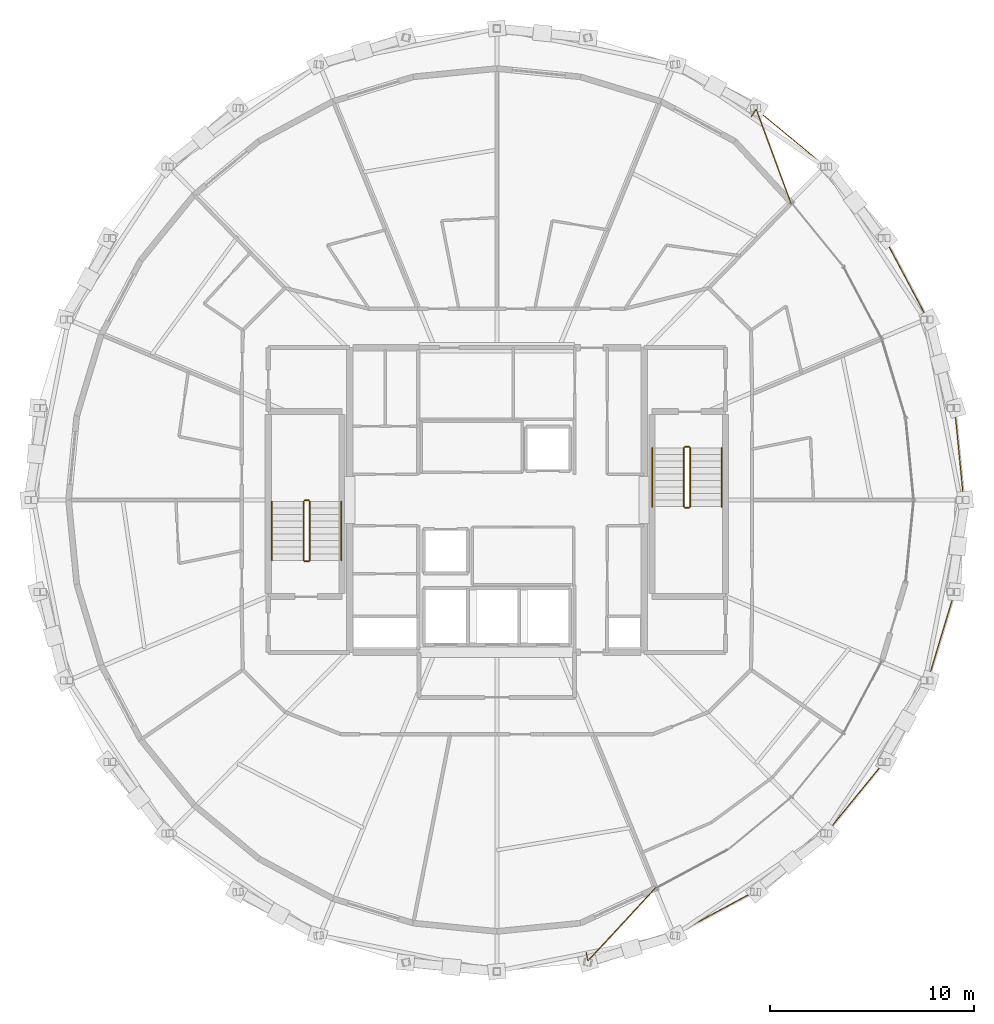
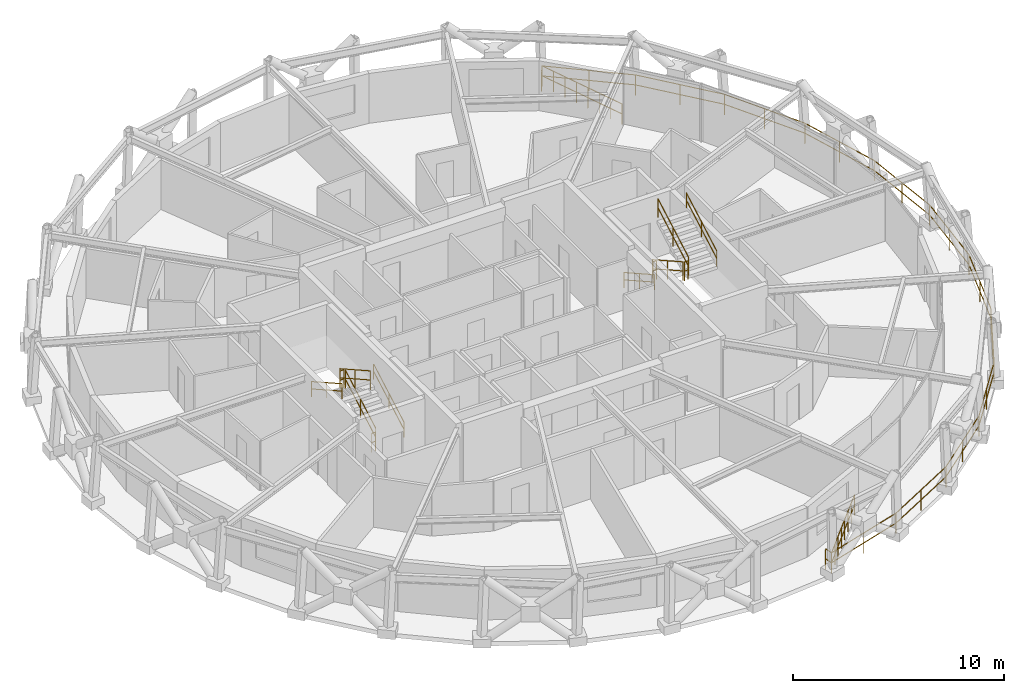
# One storey, part 15 of 15: 15 railings.
"""IFC4 building model written with IfcOpenShell, lengths in metres."""

from ifc_helpers import new_model, si_unit, direction, frame, origin, origin_2d, place, context, subcontext, project, spatial, circle, extrude, material, type_object, element, save


model = new_model("IFC4")

# Units and contexts
model_context = context("Model", 3, precision=1e-05, world=origin(), true_north=direction((0.0, 1.0)))
body_context = subcontext(model_context, "Body", "Model", "MODEL_VIEW")
ifc_project = project(units=[si_unit("LENGTHUNIT", "METRE"), si_unit("AREAUNIT", "SQUARE_METRE"), si_unit("VOLUMEUNIT", "CUBIC_METRE"), si_unit("PLANEANGLEUNIT", "RADIAN"), si_unit("MASSUNIT", "GRAM", prefix="KILO")], contexts=[model_context])

# Site, building, storey
site_placement = place(None, origin())
site = spatial("IfcSite", under=ifc_project, at=site_placement, CompositionType="ELEMENT")
building_placement = place(site_placement, origin())
building = spatial("IfcBuilding", under=site, at=building_placement, Name="Veldorina Hangang Commons", CompositionType="ELEMENT")
storey_placement = place(building_placement, frame((0.0, 0.0, 250.800048828125)))
storey = spatial("IfcBuildingStorey", under=building, at=storey_placement, Name="L65", CompositionType="ELEMENT", Elevation=250.800048828125)

# Railings
ifc_material_1 = material(Name="Glass Laminated Safety Balustrade", Category="glass")
railing_type_1 = type_object("IfcRailingType", Name="RL-BAL-LOGGIA", PredefinedType="BALUSTRADE", material=ifc_material_1)
railing_1_placement = place(storey_placement, frame((36.37158203125, 1.8759765625, 0.0)))
element("IfcRailing", 1, at=railing_1_placement, inside=storey, type_object=railing_type_1, Name="L65 sky-garden loggia end balustrade A", PredefinedType="BALUSTRADE", context=body_context, shape_type="SweptSolid", body=[
    extrude(circle(Radius=0.02392578125, at=origin_2d()), frame((0.0, 0.0, 1.17578125), z_axis=(0.194104049883, -0.980980946716, 0.0), x_axis=(0.980980946716, 0.194104049883, 0.0)), (0.0, 0.0, 1.0), 0.420166015625),
    extrude(circle(Radius=0.02392578125, at=origin_2d()), frame((0.0, 0.0, 0.60009765625), z_axis=(0.194104049883, -0.980980946716, 0.0), x_axis=(0.980980946716, 0.194104049883, 0.0)), (0.0, 0.0, 1.0), 0.420166015625),
    extrude(circle(Radius=0.02392578125, at=origin_2d()), frame((0.08154296875, -0.412109375, 1.17578125), z_axis=(0.679459641456, 0.733712883649, 0.0), x_axis=(-0.733712883649, 0.679459641456, 0.0)), (0.0, 0.0, 1.0), 4.905029296875),
    extrude(circle(Radius=0.02392578125, at=origin_2d()), frame((0.08154296875, -0.412109375, 0.60009765625), z_axis=(0.679459641456, 0.733712883649, 0.0), x_axis=(-0.733712883649, 0.679459641456, 0.0)), (0.0, 0.0, 1.0), 4.905029296875),
    extrude(circle(Radius=0.02099609375, at=origin_2d()), origin(), (0.0, 0.0, 1.0), 1.15185546875),
    extrude(circle(Radius=0.02099609375, at=origin_2d()), frame((0.08154296875, -0.412109375, 0.0)), (0.0, 0.0, 1.0), 1.15185546875),
    extrude(circle(Radius=0.02099609375, at=origin_2d()), frame((0.5576171875, 0.10205078125, 0.0)), (0.0, 0.0, 1.0), 1.15185546875),
    extrude(circle(Radius=0.02099609375, at=origin_2d()), frame((1.03369140625, 0.6162109375, 0.0)), (0.0, 0.0, 1.0), 1.15185546875),
    extrude(circle(Radius=0.02099609375, at=origin_2d()), frame((1.509765625, 1.13037109375, 0.0)), (0.0, 0.0, 1.0), 1.15185546875),
    extrude(circle(Radius=0.02099609375, at=origin_2d()), frame((1.986083984375, 1.644287109375, 0.0)), (0.0, 0.0, 1.0), 1.15185546875),
    extrude(circle(Radius=0.02099609375, at=origin_2d()), frame((2.462158203125, 2.158447265625, 0.0)), (0.0, 0.0, 1.0), 1.15185546875),
    extrude(circle(Radius=0.02099609375, at=origin_2d()), frame((2.938232421875, 2.672607421875, 0.0)), (0.0, 0.0, 1.0), 1.15185546875),
    extrude(circle(Radius=0.02099609375, at=origin_2d()), frame((3.414306640625, 3.186767578125, 0.0)), (0.0, 0.0, 1.0), 1.15185546875),
])
railing_2_placement = place(storey_placement, frame((44.448974609375, 42.755126953125, 0.0)))
element("IfcRailing", 2, at=railing_2_placement, inside=storey, type_object=railing_type_1, Name="L65 sky-garden loggia end balustrade B", PredefinedType="BALUSTRADE", context=body_context, shape_type="SweptSolid", body=[
    extrude(circle(Radius=0.02392578125, at=origin_2d()), frame((0.0, 0.0, 1.17578125), z_axis=(0.552954640857, 0.833211356833, 0.0), x_axis=(-0.833211356833, 0.552954640857, 0.0)), (0.0, 0.0, 1.0), 0.419921875),
    extrude(circle(Radius=0.02392578125, at=origin_2d()), frame((0.0, 0.0, 0.60009765625), z_axis=(0.552954640857, 0.833211356833, 0.0), x_axis=(-0.833211356833, 0.552954640857, 0.0)), (0.0, 0.0, 1.0), 0.419921875),
    extrude(circle(Radius=0.02392578125, at=origin_2d()), frame((0.232177734375, 0.349853515625, 1.17578125), z_axis=(0.346825854999, -0.937929542292, 0.0), x_axis=(0.937929542292, 0.346825854999, 0.0)), (0.0, 0.0, 1.0), 4.916259765625),
    extrude(circle(Radius=0.02392578125, at=origin_2d()), frame((0.232177734375, 0.349853515625, 0.60009765625), z_axis=(0.346825854999, -0.937929542292, 0.0), x_axis=(0.937929542292, 0.346825854999, 0.0)), (0.0, 0.0, 1.0), 4.916259765625),
    extrude(circle(Radius=0.02099609375, at=origin_2d()), origin(), (0.0, 0.0, 1.0), 1.15185546875),
    extrude(circle(Radius=0.02099609375, at=origin_2d()), frame((0.232177734375, 0.349853515625, 0.0)), (0.0, 0.0, 1.0), 1.15185546875),
    extrude(circle(Radius=0.02099609375, at=origin_2d()), frame((0.475830078125, -0.308837890625, 0.0)), (0.0, 0.0, 1.0), 1.15185546875),
    extrude(circle(Radius=0.02099609375, at=origin_2d()), frame((0.71923828125, -0.967529296875, 0.0)), (0.0, 0.0, 1.0), 1.15185546875),
    extrude(circle(Radius=0.02099609375, at=origin_2d()), frame((0.962890625, -1.626220703125, 0.0)), (0.0, 0.0, 1.0), 1.15185546875),
    extrude(circle(Radius=0.02099609375, at=origin_2d()), frame((1.20654296875, -2.28515625, 0.0)), (0.0, 0.0, 1.0), 1.15185546875),
    extrude(circle(Radius=0.02099609375, at=origin_2d()), frame((1.4501953125, -2.94384765625, 0.0)), (0.0, 0.0, 1.0), 1.15185546875),
    extrude(circle(Radius=0.02099609375, at=origin_2d()), frame((1.693603515625, -3.6025390625, 0.0)), (0.0, 0.0, 1.0), 1.15185546875),
    extrude(circle(Radius=0.02099609375, at=origin_2d()), frame((1.937255859375, -4.26123046875, 0.0)), (0.0, 0.0, 1.0), 1.15185546875),
])
railing_3_placement = place(storey_placement, frame((36.453125, 1.4638671875, 0.0)))
element("IfcRailing", 3, at=railing_3_placement, inside=storey, type_object=railing_type_1, Name="L65 sky-garden loggia outer balustrade", PredefinedType="BALUSTRADE", context=body_context, shape_type="SweptSolid", body=[
    extrude(circle(Radius=0.02392578125, at=origin_2d()), frame((0.0, 0.0, 1.17578125), z_axis=(0.956399392133, 0.292061984393, 0.0), x_axis=(-0.292061984393, 0.956399392133, 0.0)), (0.0, 0.0, 1.0), 4.477294921875),
    extrude(circle(Radius=0.02392578125, at=origin_2d()), frame((0.0, 0.0, 0.60009765625), z_axis=(0.956399392133, 0.292061984393, 0.0), x_axis=(-0.292061984393, 0.956399392133, 0.0)), (0.0, 0.0, 1.0), 4.477294921875),
    extrude(circle(Radius=0.02392578125, at=origin_2d()), frame((4.281982421875, 1.3076171875, 1.17578125), z_axis=(0.880588283719, 0.473882131522, 0.0), x_axis=(-0.473882131522, 0.880588283719, 0.0)), (0.0, 0.0, 1.0), 4.481201171875),
    extrude(circle(Radius=0.02392578125, at=origin_2d()), frame((4.281982421875, 1.3076171875, 0.60009765625), z_axis=(0.880588283719, 0.473882131522, 0.0), x_axis=(-0.473882131522, 0.880588283719, 0.0)), (0.0, 0.0, 1.0), 4.481201171875),
    extrude(circle(Radius=0.02392578125, at=origin_2d()), frame((8.22802734375, 3.43115234375, 1.17578125), z_axis=(0.770912958295, 0.636940508001, 0.0), x_axis=(-0.636940508001, 0.770912958295, 0.0)), (0.0, 0.0, 1.0), 4.486572265625),
    extrude(circle(Radius=0.02392578125, at=origin_2d()), frame((8.22802734375, 3.43115234375, 0.60009765625), z_axis=(0.770912958295, 0.636940508001, 0.0), x_axis=(-0.636940508001, 0.770912958295, 0.0)), (0.0, 0.0, 1.0), 4.486572265625),
    extrude(circle(Radius=0.02392578125, at=origin_2d()), frame((11.686767578125, 6.288818359375, 1.17578125), z_axis=(0.631872524789, 0.775072327216, 0.0), x_axis=(-0.775072327216, 0.631872524789, 0.0)), (0.0, 0.0, 1.0), 4.492431640625),
    extrude(circle(Radius=0.02392578125, at=origin_2d()), frame((11.686767578125, 6.288818359375, 0.60009765625), z_axis=(0.631872524789, 0.775072327216, 0.0), x_axis=(-0.775072327216, 0.631872524789, 0.0)), (0.0, 0.0, 1.0), 4.492431640625),
    extrude(circle(Radius=0.02392578125, at=origin_2d()), frame((14.525390625, 9.770751953125, 1.17578125), z_axis=(0.468987207048, 0.883204959013, 0.0), x_axis=(-0.883204959013, 0.468987207048, 0.0)), (0.0, 0.0, 1.0), 4.497802734375),
    extrude(circle(Radius=0.02392578125, at=origin_2d()), frame((14.525390625, 9.770751953125, 0.60009765625), z_axis=(0.468987207048, 0.883204959013, 0.0), x_axis=(-0.883204959013, 0.468987207048, 0.0)), (0.0, 0.0, 1.0), 4.497802734375),
    extrude(circle(Radius=0.02392578125, at=origin_2d()), frame((16.634765625, 13.7431640625, 1.17578125), z_axis=(0.288516904287, 0.957474801726, 0.0), x_axis=(-0.957474801726, 0.288516904287, 0.0)), (0.0, 0.0, 1.0), 4.501708984375),
    extrude(circle(Radius=0.02392578125, at=origin_2d()), frame((16.634765625, 13.7431640625, 0.60009765625), z_axis=(0.288516904287, 0.957474801726, 0.0), x_axis=(-0.957474801726, 0.288516904287, 0.0)), (0.0, 0.0, 1.0), 4.501708984375),
    extrude(circle(Radius=0.02392578125, at=origin_2d()), frame((17.93359375, 18.053466796875, 1.17578125), z_axis=(0.097351403944, 0.995250071163, 0.0), x_axis=(-0.995250071163, 0.097351403944, 0.0)), (0.0, 0.0, 1.0), 4.504150390625),
    extrude(circle(Radius=0.02392578125, at=origin_2d()), frame((17.93359375, 18.053466796875, 0.60009765625), z_axis=(0.097351403944, 0.995250071163, 0.0), x_axis=(-0.995250071163, 0.097351403944, 0.0)), (0.0, 0.0, 1.0), 4.504150390625),
    extrude(circle(Radius=0.02392578125, at=origin_2d()), frame((18.3720703125, 22.5361328125, 1.17578125), z_axis=(-0.097351403944, 0.995250071163, 0.0), x_axis=(-0.995250071163, -0.097351403944, 0.0)), (0.0, 0.0, 1.0), 4.504150390625),
    extrude(circle(Radius=0.02392578125, at=origin_2d()), frame((18.3720703125, 22.5361328125, 0.60009765625), z_axis=(-0.097351403944, 0.995250071163, 0.0), x_axis=(-0.995250071163, -0.097351403944, 0.0)), (0.0, 0.0, 1.0), 4.504150390625),
    extrude(circle(Radius=0.02392578125, at=origin_2d()), frame((17.93359375, 27.018798828125, 1.17578125), z_axis=(-0.288516904287, 0.957474801726, 0.0), x_axis=(-0.957474801726, -0.288516904287, 0.0)), (0.0, 0.0, 1.0), 4.501708984375),
    extrude(circle(Radius=0.02392578125, at=origin_2d()), frame((17.93359375, 27.018798828125, 0.60009765625), z_axis=(-0.288516904287, 0.957474801726, 0.0), x_axis=(-0.957474801726, -0.288516904287, 0.0)), (0.0, 0.0, 1.0), 4.501708984375),
    extrude(circle(Radius=0.02392578125, at=origin_2d()), frame((16.634765625, 31.3291015625, 1.17578125), z_axis=(-0.468987207048, 0.883204959013, 0.0), x_axis=(-0.883204959013, -0.468987207048, 0.0)), (0.0, 0.0, 1.0), 4.497802734375),
    extrude(circle(Radius=0.02392578125, at=origin_2d()), frame((16.634765625, 31.3291015625, 0.60009765625), z_axis=(-0.468987207048, 0.883204959013, 0.0), x_axis=(-0.883204959013, -0.468987207048, 0.0)), (0.0, 0.0, 1.0), 4.497802734375),
    extrude(circle(Radius=0.02392578125, at=origin_2d()), frame((14.525390625, 35.301513671875, 1.17578125), z_axis=(-0.631872524789, 0.775072327216, 0.0), x_axis=(-0.775072327216, -0.631872524789, 0.0)), (0.0, 0.0, 1.0), 4.492431640625),
    extrude(circle(Radius=0.02392578125, at=origin_2d()), frame((14.525390625, 35.301513671875, 0.60009765625), z_axis=(-0.631872524789, 0.775072327216, 0.0), x_axis=(-0.775072327216, -0.631872524789, 0.0)), (0.0, 0.0, 1.0), 4.492431640625),
    extrude(circle(Radius=0.02392578125, at=origin_2d()), frame((11.686767578125, 38.783447265625, 1.17578125), z_axis=(-0.770912958295, 0.636940508001, 0.0), x_axis=(-0.636940508001, -0.770912958295, 0.0)), (0.0, 0.0, 1.0), 4.486572265625),
    extrude(circle(Radius=0.02392578125, at=origin_2d()), frame((11.686767578125, 38.783447265625, 0.60009765625), z_axis=(-0.770912958295, 0.636940508001, 0.0), x_axis=(-0.636940508001, -0.770912958295, 0.0)), (0.0, 0.0, 1.0), 4.486572265625),
    extrude(circle(Radius=0.02099609375, at=origin_2d()), origin(), (0.0, 0.0, 1.0), 1.15185546875),
    extrude(circle(Radius=0.02099609375, at=origin_2d()), frame((2.14111328125, 0.65380859375, 0.0)), (0.0, 0.0, 1.0), 1.15185546875),
    extrude(circle(Radius=0.02099609375, at=origin_2d()), frame((4.281982421875, 1.3076171875, 0.0)), (0.0, 0.0, 1.0), 1.15185546875),
    extrude(circle(Radius=0.02099609375, at=origin_2d()), frame((6.2548828125, 2.369384765625, 0.0)), (0.0, 0.0, 1.0), 1.15185546875),
    extrude(circle(Radius=0.02099609375, at=origin_2d()), frame((8.22802734375, 3.43115234375, 0.0)), (0.0, 0.0, 1.0), 1.15185546875),
    extrude(circle(Radius=0.02099609375, at=origin_2d()), frame((9.95751953125, 4.85986328125, 0.0)), (0.0, 0.0, 1.0), 1.15185546875),
    extrude(circle(Radius=0.02099609375, at=origin_2d()), frame((11.686767578125, 6.288818359375, 0.0)), (0.0, 0.0, 1.0), 1.15185546875),
    extrude(circle(Radius=0.02099609375, at=origin_2d()), frame((13.10595703125, 8.02978515625, 0.0)), (0.0, 0.0, 1.0), 1.15185546875),
    extrude(circle(Radius=0.02099609375, at=origin_2d()), frame((14.525390625, 9.770751953125, 0.0)), (0.0, 0.0, 1.0), 1.15185546875),
    extrude(circle(Radius=0.02099609375, at=origin_2d()), frame((15.580078125, 11.7568359375, 0.0)), (0.0, 0.0, 1.0), 1.15185546875),
    extrude(circle(Radius=0.02099609375, at=origin_2d()), frame((16.634765625, 13.7431640625, 0.0)), (0.0, 0.0, 1.0), 1.15185546875),
    extrude(circle(Radius=0.02099609375, at=origin_2d()), frame((17.2841796875, 15.8984375, 0.0)), (0.0, 0.0, 1.0), 1.15185546875),
    extrude(circle(Radius=0.02099609375, at=origin_2d()), frame((17.93359375, 18.053466796875, 0.0)), (0.0, 0.0, 1.0), 1.15185546875),
    extrude(circle(Radius=0.02099609375, at=origin_2d()), frame((18.15283203125, 20.294921875, 0.0)), (0.0, 0.0, 1.0), 1.15185546875),
    extrude(circle(Radius=0.02099609375, at=origin_2d()), frame((18.3720703125, 22.5361328125, 0.0)), (0.0, 0.0, 1.0), 1.15185546875),
    extrude(circle(Radius=0.02099609375, at=origin_2d()), frame((18.15283203125, 24.77734375, 0.0)), (0.0, 0.0, 1.0), 1.15185546875),
    extrude(circle(Radius=0.02099609375, at=origin_2d()), frame((17.93359375, 27.018798828125, 0.0)), (0.0, 0.0, 1.0), 1.15185546875),
    extrude(circle(Radius=0.02099609375, at=origin_2d()), frame((17.2841796875, 29.173828125, 0.0)), (0.0, 0.0, 1.0), 1.15185546875),
    extrude(circle(Radius=0.02099609375, at=origin_2d()), frame((16.634765625, 31.3291015625, 0.0)), (0.0, 0.0, 1.0), 1.15185546875),
    extrude(circle(Radius=0.02099609375, at=origin_2d()), frame((15.580078125, 33.3154296875, 0.0)), (0.0, 0.0, 1.0), 1.15185546875),
    extrude(circle(Radius=0.02099609375, at=origin_2d()), frame((14.525390625, 35.301513671875, 0.0)), (0.0, 0.0, 1.0), 1.15185546875),
    extrude(circle(Radius=0.02099609375, at=origin_2d()), frame((13.10595703125, 37.04248046875, 0.0)), (0.0, 0.0, 1.0), 1.15185546875),
    extrude(circle(Radius=0.02099609375, at=origin_2d()), frame((11.686767578125, 38.783447265625, 0.0)), (0.0, 0.0, 1.0), 1.15185546875),
    extrude(circle(Radius=0.02099609375, at=origin_2d()), frame((9.95751953125, 40.21240234375, 0.0)), (0.0, 0.0, 1.0), 1.15185546875),
    extrude(circle(Radius=0.02099609375, at=origin_2d()), frame((8.22802734375, 41.64111328125, 0.0)), (0.0, 0.0, 1.0), 1.15185546875),
])
ifc_material_2 = material(Name="Steel Painted Balustrade", Category="steel")
railing_type_2 = type_object("IfcRailingType", Name="RL-GRD-STAIR", PredefinedType="GUARDRAIL", material=ifc_material_2)
railing_4_placement = place(storey_placement, frame((22.85009765625, 21.050048828125, 0.179931640625)))
element("IfcRailing", 4, at=railing_4_placement, inside=storey, type_object=railing_type_2, Name="L65 ST-1 stair guard 1", PredefinedType="GUARDRAIL", context=body_context, shape_type="SweptSolid", body=[
    extrude(circle(Radius=0.02392578125, at=origin_2d()), frame((0.0, 0.0, 1.076171875), z_axis=(0.0, 0.87155185771, 0.490303333991), x_axis=(-1.0, 0.0, 0.0)), (0.0, 0.0, 1.0), 3.30419921875),
    extrude(circle(Radius=0.02392578125, at=origin_2d()), frame((0.0, 0.0, 0.550048828125), z_axis=(0.0, 0.87155185771, 0.490303333991), x_axis=(-1.0, 0.0, 0.0)), (0.0, 0.0, 1.0), 3.30419921875),
    extrude(circle(Radius=0.02099609375, at=origin_2d()), origin(), (0.0, 0.0, 1.0), 1.052001953125),
    extrude(circle(Radius=0.02099609375, at=origin_2d()), frame((0.0, 1.43994140625, 0.81005859375)), (0.0, 0.0, 1.0), 1.052001953125),
    extrude(circle(Radius=0.02099609375, at=origin_2d()), frame((0.0, 2.8798828125, 1.6201171875)), (0.0, 0.0, 1.0), 1.052001953125),
])
railing_5_placement = place(storey_placement, frame((22.800048828125, 23.97998046875, 1.800048828125)))
element("IfcRailing", 5, at=railing_5_placement, inside=storey, type_object=railing_type_2, Name="L65 ST-1 stair guard 2", PredefinedType="GUARDRAIL", context=body_context, shape_type="SweptSolid", body=[
    extrude(circle(Radius=0.02392578125, at=origin_2d()), frame((0.0, 0.0, 1.076171875), z_axis=(-1.0, 0.0, 0.0), x_axis=(0.0, -1.0, 0.0)), (0.0, 0.0, 1.0), 0.199951171875),
    extrude(circle(Radius=0.02392578125, at=origin_2d()), frame((0.0, 0.0, 0.550048828125), z_axis=(-1.0, 0.0, 0.0), x_axis=(0.0, -1.0, 0.0)), (0.0, 0.0, 1.0), 0.199951171875),
    extrude(circle(Radius=0.02099609375, at=origin_2d()), origin(), (0.0, 0.0, 1.0), 1.052001953125),
    extrude(circle(Radius=0.02099609375, at=origin_2d()), frame((-0.199951171875, 0.0, 0.0)), (0.0, 0.0, 1.0), 1.052001953125),
])
railing_6_placement = place(storey_placement, frame((22.550048828125, 23.929931640625, 1.97998046875)))
element("IfcRailing", 6, at=railing_6_placement, inside=storey, type_object=railing_type_2, Name="L65 ST-1 stair guard 3", PredefinedType="GUARDRAIL", context=body_context, shape_type="SweptSolid", body=[
    extrude(circle(Radius=0.02392578125, at=origin_2d()), frame((0.0, 0.0, 1.076171875), z_axis=(0.0, -0.871583430097, 0.490247207417), x_axis=(1.0, 0.0, 0.0)), (0.0, 0.0, 1.0), 3.30419921875),
    extrude(circle(Radius=0.02392578125, at=origin_2d()), frame((0.0, 0.0, 0.550048828125), z_axis=(0.0, -0.871583430097, 0.490247207417), x_axis=(1.0, 0.0, 0.0)), (0.0, 0.0, 1.0), 3.30419921875),
    extrude(circle(Radius=0.02099609375, at=origin_2d()), origin(), (0.0, 0.0, 1.0), 1.052001953125),
    extrude(circle(Radius=0.02099609375, at=origin_2d()), frame((0.0, -1.43994140625, 0.81005859375)), (0.0, 0.0, 1.0), 1.052001953125),
    extrude(circle(Radius=0.02099609375, at=origin_2d()), frame((0.0, -2.8798828125, 1.619873046875)), (0.0, 0.0, 1.0), 1.052001953125),
])
railing_7_placement = place(storey_placement, frame((22.800048828125, 21.0, 0.0)))
element("IfcRailing", 7, at=railing_7_placement, inside=storey, type_object=railing_type_2, Name="L65 ST-1 stair guard 4", PredefinedType="GUARDRAIL", context=body_context, shape_type="SweptSolid", body=[
    extrude(circle(Radius=0.02392578125, at=origin_2d()), frame((0.0, 0.0, 1.076171875), z_axis=(-1.0, 0.0, 0.0), x_axis=(0.0, -1.0, 0.0)), (0.0, 0.0, 1.0), 0.199951171875),
    extrude(circle(Radius=0.02392578125, at=origin_2d()), frame((0.0, 0.0, 0.550048828125), z_axis=(-1.0, 0.0, 0.0), x_axis=(0.0, -1.0, 0.0)), (0.0, 0.0, 1.0), 0.199951171875),
    extrude(circle(Radius=0.02099609375, at=origin_2d()), origin(), (0.0, 0.0, 1.0), 1.052001953125),
    extrude(circle(Radius=0.02099609375, at=origin_2d()), frame((-0.199951171875, 0.0, 0.0)), (0.0, 0.0, 1.0), 1.052001953125),
])
railing_8_placement = place(storey_placement, frame((41.14990234375, 26.550048828125, 0.179931640625)))
element("IfcRailing", 8, at=railing_8_placement, inside=storey, type_object=railing_type_2, Name="L65 ST-2 stair guard 1", PredefinedType="GUARDRAIL", context=body_context, shape_type="SweptSolid", body=[
    extrude(circle(Radius=0.02392578125, at=origin_2d()), frame((0.0, 0.0, 1.076171875), z_axis=(0.0, -0.871569617843, 0.490271762652), x_axis=(1.0, 0.0, 0.0)), (0.0, 0.0, 1.0), 3.304443359375),
    extrude(circle(Radius=0.02392578125, at=origin_2d()), frame((0.0, 0.0, 0.550048828125), z_axis=(0.0, -0.871569617843, 0.490271762652), x_axis=(1.0, 0.0, 0.0)), (0.0, 0.0, 1.0), 3.304443359375),
    extrude(circle(Radius=0.02099609375, at=origin_2d()), origin(), (0.0, 0.0, 1.0), 1.052001953125),
    extrude(circle(Radius=0.02099609375, at=origin_2d()), frame((0.0, -1.43994140625, 0.81005859375)), (0.0, 0.0, 1.0), 1.052001953125),
    extrude(circle(Radius=0.02099609375, at=origin_2d()), frame((0.0, -2.880126953125, 1.6201171875)), (0.0, 0.0, 1.0), 1.052001953125),
])
railing_9_placement = place(storey_placement, frame((41.199951171875, 23.6201171875, 1.800048828125)))
element("IfcRailing", 9, at=railing_9_placement, inside=storey, type_object=railing_type_2, Name="L65 ST-2 stair guard 2", PredefinedType="GUARDRAIL", context=body_context, shape_type="SweptSolid", body=[
    extrude(circle(Radius=0.02392578125, at=origin_2d()), frame((0.0, 0.0, 1.076171875), z_axis=(1.0, 0.0, 0.0), x_axis=(0.0, 1.0, 0.0)), (0.0, 0.0, 1.0), 0.199951171875),
    extrude(circle(Radius=0.02392578125, at=origin_2d()), frame((0.0, 0.0, 0.550048828125), z_axis=(1.0, 0.0, 0.0), x_axis=(0.0, 1.0, 0.0)), (0.0, 0.0, 1.0), 0.199951171875),
    extrude(circle(Radius=0.02099609375, at=origin_2d()), origin(), (0.0, 0.0, 1.0), 1.052001953125),
    extrude(circle(Radius=0.02099609375, at=origin_2d()), frame((0.199951171875, 0.0, 0.0)), (0.0, 0.0, 1.0), 1.052001953125),
])
railing_10_placement = place(storey_placement, frame((41.449951171875, 23.669921875, 1.97998046875)))
element("IfcRailing", 10, at=railing_10_placement, inside=storey, type_object=railing_type_2, Name="L65 ST-2 stair guard 3", PredefinedType="GUARDRAIL", context=body_context, shape_type="SweptSolid", body=[
    extrude(circle(Radius=0.02392578125, at=origin_2d()), frame((0.0, 0.0, 1.076171875), z_axis=(0.0, 0.871601186807, 0.490215637405), x_axis=(-1.0, 0.0, 0.0)), (0.0, 0.0, 1.0), 3.304443359375),
    extrude(circle(Radius=0.02392578125, at=origin_2d()), frame((0.0, 0.0, 0.550048828125), z_axis=(0.0, 0.871601186807, 0.490215637405), x_axis=(-1.0, 0.0, 0.0)), (0.0, 0.0, 1.0), 3.304443359375),
    extrude(circle(Radius=0.02099609375, at=origin_2d()), origin(), (0.0, 0.0, 1.0), 1.052001953125),
    extrude(circle(Radius=0.02099609375, at=origin_2d()), frame((0.0, 1.43994140625, 0.81005859375)), (0.0, 0.0, 1.0), 1.052001953125),
    extrude(circle(Radius=0.02099609375, at=origin_2d()), frame((0.0, 2.880126953125, 1.619873046875)), (0.0, 0.0, 1.0), 1.052001953125),
])
railing_11_placement = place(storey_placement, frame((41.199951171875, 26.60009765625, 0.0)))
element("IfcRailing", 11, at=railing_11_placement, inside=storey, type_object=railing_type_2, Name="L65 ST-2 stair guard 4", PredefinedType="GUARDRAIL", context=body_context, shape_type="SweptSolid", body=[
    extrude(circle(Radius=0.02392578125, at=origin_2d()), frame((0.0, 0.0, 1.076171875), z_axis=(1.0, 0.0, 0.0), x_axis=(0.0, 1.0, 0.0)), (0.0, 0.0, 1.0), 0.199951171875),
    extrude(circle(Radius=0.02392578125, at=origin_2d()), frame((0.0, 0.0, 0.550048828125), z_axis=(1.0, 0.0, 0.0), x_axis=(0.0, 1.0, 0.0)), (0.0, 0.0, 1.0), 0.199951171875),
    extrude(circle(Radius=0.02099609375, at=origin_2d()), origin(), (0.0, 0.0, 1.0), 1.052001953125),
    extrude(circle(Radius=0.02099609375, at=origin_2d()), frame((0.199951171875, 0.0, 0.0)), (0.0, 0.0, 1.0), 1.052001953125),
])
ifc_material_3 = material(Name="Stainless Steel Brushed 316", Category="steel")
railing_type_3 = type_object("IfcRailingType", Name="RL-HND-STAIR", PredefinedType="HANDRAIL", material=ifc_material_3)
railing_12_placement = place(storey_placement, frame((24.39990234375, 21.050048828125, 0.179931640625)))
element("IfcRailing", 12, at=railing_12_placement, inside=storey, type_object=railing_type_3, Name="L65 ST-1 stair handrail 1", PredefinedType="HANDRAIL", context=body_context, shape_type="SweptSolid", body=[
    extrude(circle(Radius=0.02392578125, at=origin_2d()), frame((0.0, 0.0, 0.8759765625), z_axis=(0.0, 0.87155185771, 0.490303333991), x_axis=(-1.0, 0.0, 0.0)), (0.0, 0.0, 1.0), 3.30419921875),
    extrude(circle(Radius=0.02392578125, at=origin_2d()), frame((0.0, 0.0, 0.449951171875), z_axis=(0.0, 0.87155185771, 0.490303333991), x_axis=(-1.0, 0.0, 0.0)), (0.0, 0.0, 1.0), 3.30419921875),
    extrude(circle(Radius=0.02099609375, at=origin_2d()), origin(), (0.0, 0.0, 1.0), 0.851806640625),
    extrude(circle(Radius=0.02099609375, at=origin_2d()), frame((0.0, 1.43994140625, 0.81005859375)), (0.0, 0.0, 1.0), 0.851806640625),
    extrude(circle(Radius=0.02099609375, at=origin_2d()), frame((0.0, 2.8798828125, 1.6201171875)), (0.0, 0.0, 1.0), 0.851806640625),
])
railing_13_placement = place(storey_placement, frame((21.0, 23.929931640625, 1.97998046875)))
element("IfcRailing", 13, at=railing_13_placement, inside=storey, type_object=railing_type_3, Name="L65 ST-1 stair handrail 2", PredefinedType="HANDRAIL", context=body_context, shape_type="SweptSolid", body=[
    extrude(circle(Radius=0.02392578125, at=origin_2d()), frame((0.0, 0.0, 0.8759765625), z_axis=(0.0, -0.871583430097, 0.490247207417), x_axis=(1.0, 0.0, 0.0)), (0.0, 0.0, 1.0), 3.30419921875),
    extrude(circle(Radius=0.02392578125, at=origin_2d()), frame((0.0, 0.0, 0.449951171875), z_axis=(0.0, -0.871583430097, 0.490247207417), x_axis=(1.0, 0.0, 0.0)), (0.0, 0.0, 1.0), 3.30419921875),
    extrude(circle(Radius=0.02099609375, at=origin_2d()), origin(), (0.0, 0.0, 1.0), 0.851806640625),
    extrude(circle(Radius=0.02099609375, at=origin_2d()), frame((0.0, -1.43994140625, 0.81005859375)), (0.0, 0.0, 1.0), 0.851806640625),
    extrude(circle(Radius=0.02099609375, at=origin_2d()), frame((0.0, -2.8798828125, 1.619873046875)), (0.0, 0.0, 1.0), 0.851806640625),
])
railing_14_placement = place(storey_placement, frame((39.60009765625, 26.550048828125, 0.179931640625)))
element("IfcRailing", 14, at=railing_14_placement, inside=storey, type_object=railing_type_3, Name="L65 ST-2 stair handrail 1", PredefinedType="HANDRAIL", context=body_context, shape_type="SweptSolid", body=[
    extrude(circle(Radius=0.02392578125, at=origin_2d()), frame((0.0, 0.0, 0.8759765625), z_axis=(0.0, -0.871569617843, 0.490271762652), x_axis=(1.0, 0.0, 0.0)), (0.0, 0.0, 1.0), 3.304443359375),
    extrude(circle(Radius=0.02392578125, at=origin_2d()), frame((0.0, 0.0, 0.449951171875), z_axis=(0.0, -0.871569617843, 0.490271762652), x_axis=(1.0, 0.0, 0.0)), (0.0, 0.0, 1.0), 3.304443359375),
    extrude(circle(Radius=0.02099609375, at=origin_2d()), origin(), (0.0, 0.0, 1.0), 0.851806640625),
    extrude(circle(Radius=0.02099609375, at=origin_2d()), frame((0.0, -1.43994140625, 0.81005859375)), (0.0, 0.0, 1.0), 0.851806640625),
    extrude(circle(Radius=0.02099609375, at=origin_2d()), frame((0.0, -2.880126953125, 1.6201171875)), (0.0, 0.0, 1.0), 0.851806640625),
])
railing_15_placement = place(storey_placement, frame((43.0, 23.669921875, 1.97998046875)))
element("IfcRailing", 15, at=railing_15_placement, inside=storey, type_object=railing_type_3, Name="L65 ST-2 stair handrail 2", PredefinedType="HANDRAIL", context=body_context, shape_type="SweptSolid", body=[
    extrude(circle(Radius=0.02392578125, at=origin_2d()), frame((0.0, 0.0, 0.8759765625), z_axis=(0.0, 0.871601186807, 0.490215637405), x_axis=(-1.0, 0.0, 0.0)), (0.0, 0.0, 1.0), 3.304443359375),
    extrude(circle(Radius=0.02392578125, at=origin_2d()), frame((0.0, 0.0, 0.449951171875), z_axis=(0.0, 0.871601186807, 0.490215637405), x_axis=(-1.0, 0.0, 0.0)), (0.0, 0.0, 1.0), 3.304443359375),
    extrude(circle(Radius=0.02099609375, at=origin_2d()), origin(), (0.0, 0.0, 1.0), 0.851806640625),
    extrude(circle(Radius=0.02099609375, at=origin_2d()), frame((0.0, 1.43994140625, 0.81005859375)), (0.0, 0.0, 1.0), 0.851806640625),
    extrude(circle(Radius=0.02099609375, at=origin_2d()), frame((0.0, 2.880126953125, 1.619873046875)), (0.0, 0.0, 1.0), 0.851806640625),
])

save(model, "model.ifc")
